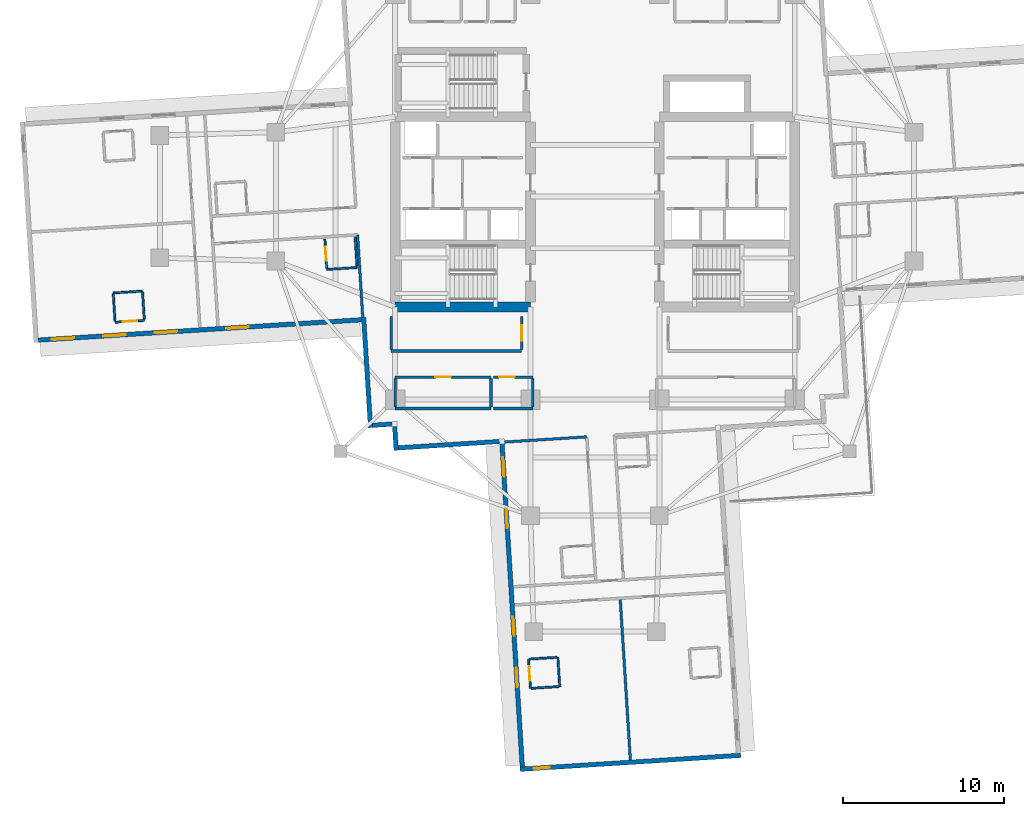
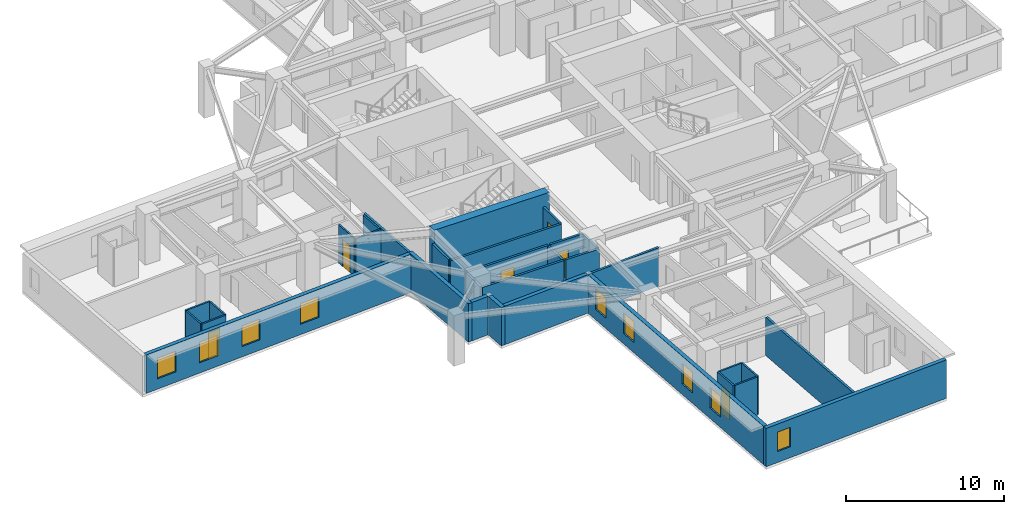
# One storey, part 3 of 14: 32 walls, 9 windows, 6 doors, 15 openings.
"""IFC4 building model written with IfcOpenShell, lengths in metres."""

from ifc_helpers import new_model, si_unit, direction, frame, frame_2d, origin, place, context, subcontext, project, spatial, rectangle, extrude, material, layer, layer_set, type_object, element, fill, save


model = new_model("IFC4")

# Units and contexts
model_context = context("Model", 3, precision=1e-05, world=origin(), true_north=direction((0.0, 1.0)))
body_context = subcontext(model_context, "Body", "Model", "MODEL_VIEW")
ifc_project = project(units=[si_unit("LENGTHUNIT", "METRE"), si_unit("AREAUNIT", "SQUARE_METRE"), si_unit("VOLUMEUNIT", "CUBIC_METRE"), si_unit("PLANEANGLEUNIT", "RADIAN"), si_unit("MASSUNIT", "GRAM", prefix="KILO")], contexts=[model_context])

# Site, building, storey
site_placement = place(None, origin())
site = spatial("IfcSite", under=ifc_project, at=site_placement, CompositionType="ELEMENT")
building_placement = place(site_placement, origin())
building = spatial("IfcBuilding", under=site, at=building_placement, Name="Qingluan Cross Belvedere", CompositionType="ELEMENT")
storey_placement = place(building_placement, frame((0.0, 0.0, 120.300048828125)))
storey = spatial("IfcBuildingStorey", under=building, at=storey_placement, Name="L30", CompositionType="ELEMENT", Elevation=120.300048828125)

# Walls
ifc_material_1 = material(Name="Concrete C60", Category="concrete")
ifc_layer_1 = layer(ifc_material_1, 0.60009765625, Name="CoreShearWall_600")
ifc_layer_set_1 = layer_set([ifc_layer_1], Name="Concrete C60")
wall_type_1 = type_object("IfcWallType", Name="CoreShearWall_600", PredefinedType="SHEAR", material=ifc_layer_set_1)
wall_1_placement = place(storey_placement, frame((-12.39990234375, -6.85009765625, 0.0), z_axis=(0.0, 0.0, 1.0), x_axis=(1.0, 0.0, 0.0)))
element("IfcWall", 1, at=wall_1_placement, inside=storey, type_object=wall_type_1, Name="Split core W shear wall L30-S", PredefinedType="SHEAR", context=body_context, shape_type="SweptSolid", body=[
    extrude(rectangle(XDim=8.39990234375, YDim=0.60009765625, at=frame_2d((4.199951171875, 0.0))), origin(), (0.0, 0.0, 1.0), 3.699951171875),
])
ifc_material_2 = material(Name="Gypsum plasterboard on steel stud acoustic partition", Category="steel")
ifc_layer_2 = layer(ifc_material_2, 0.159912109375, Name="CorridorPartition_160")
ifc_layer_set_2 = layer_set([ifc_layer_2], Name="Gypsum plasterboard on steel stud acoustic partition")
wall_type_2 = type_object("IfcWallType", Name="CorridorPartition_160", PredefinedType="PARTITIONING", material=ifc_layer_set_2)
wall_2_placement = place(storey_placement, frame((-12.39990234375, -13.14990234375, 0.0), z_axis=(0.0, 0.0, 1.0), x_axis=(1.0, 0.0, 0.0)))
element("IfcWall", 2, at=wall_2_placement, inside=storey, type_object=wall_type_2, Name="Partition L30:q_sw1:S", PredefinedType="PARTITIONING", context=body_context, shape_type="SweptSolid", body=[
    extrude(rectangle(XDim=5.949951171875, YDim=0.159912109375, at=frame_2d((2.97509765625, 0.0))), origin(), (0.0, 0.0, 1.0), 2.9599609375),
])

# Wall, opening, door
wall_3_placement = place(storey_placement, frame((-12.39990234375, -11.199951171875, 0.0), z_axis=(0.0, 0.0, 1.0), x_axis=(1.0, 0.0, 0.0)))
wall_3 = element("IfcWall", 3, at=wall_3_placement, inside=storey, type_object=wall_type_2, Name="Partition L30:q_sw1:N", PredefinedType="PARTITIONING", context=body_context, shape_type="SweptSolid", body=[
    extrude(rectangle(XDim=5.949951171875, YDim=0.159912109375, at=frame_2d((2.97509765625, 0.0))), origin(), (0.0, 0.0, 1.0), 2.9599609375),
])
opening_1_placement = place(wall_3_placement, frame((2.4951171875, 0.0, 0.0)))
opening_1 = element("IfcOpeningElement", 4, at=opening_1_placement, cuts=wall_3, Name="Opening GD-10", PredefinedType="OPENING", context=body_context, shape_type="SweptSolid", body=[
    extrude(rectangle(XDim=0.9599609375, YDim=2.14990234375, at=frame_2d((0.47998046875, 1.074951171875))), frame((0.0, 0.08984375, 0.0), z_axis=(0.0, -1.0, 0.0), x_axis=(1.0, 0.0, 0.0)), (0.0, 0.0, 1.0), 0.179931640625),
])
ifc_material_3 = material(Name="Timber oak fire-rated acoustic guestroom door", Category="wood")
door_type_1 = type_object("IfcDoorType", Name="GuestEntryDoor_FD60", OperationType="NOTDEFINED", PredefinedType="DOOR", material=ifc_material_3)
door_1_placement = place(opening_1_placement, origin())
door_1 = element("IfcDoor", 5, at=door_1_placement, inside=storey, type_object=door_type_1, Name="Reading library room L30 door", OperationType="SINGLE_SWING_LEFT", OverallHeight=2.14990234375, OverallWidth=0.9599609375, PredefinedType="DOOR", context=body_context, shape_type="SweptSolid", body=[
    extrude(rectangle(XDim=0.9599609375, YDim=2.14990234375, at=frame_2d((0.47998046875, 1.074951171875))), frame((0.0, 0.02490234375, 0.0), z_axis=(0.0, -1.0, 0.0), x_axis=(1.0, 0.0, 0.0)), (0.0, 0.0, 1.0), 0.050048828125),
])
fill(opening_1, door_1)

# Walls
for number, where, z_axis, x_axis, name in (
    (6, (-12.39990234375, -13.06494140625, 0.0), (0.0, 0.0, 1.0), (0.0, 1.0, 0.0), "Partition L30:q_sw1:W"),
    (7, (-6.449951171875, -13.06494140625, 0.0), (0.0, 0.0, 1.0), (0.0, 1.0, 0.0), "Partition L30:q_sw1:E"),
):
    element("IfcWall", number, at=place(storey_placement, frame(where, z_axis=z_axis, x_axis=x_axis)), inside=storey, type_object=wall_type_2, Name=name, PredefinedType="PARTITIONING", context=body_context, shape_type="SweptSolid", body=[
        extrude(rectangle(XDim=1.780029296875, YDim=0.159912109375, at=frame_2d((0.89013671875, 0.0))), origin(), (0.0, 0.0, 1.0), 2.9599609375),
    ])
wall_4_placement = place(storey_placement, frame((-6.2900390625, -13.14990234375, 0.0), z_axis=(0.0, 0.0, 1.0), x_axis=(1.0, 0.0, 0.0)))
element("IfcWall", 8, at=wall_4_placement, inside=storey, type_object=wall_type_2, Name="Partition L30:q_sw2:S", PredefinedType="PARTITIONING", context=body_context, shape_type="SweptSolid", body=[
    extrude(rectangle(XDim=2.43994140625, YDim=0.159912109375, at=frame_2d((1.219970703125, 0.0))), origin(), (0.0, 0.0, 1.0), 2.9599609375),
])

# Wall, opening, door
wall_5_placement = place(storey_placement, frame((-6.2900390625, -11.199951171875, 0.0), z_axis=(0.0, 0.0, 1.0), x_axis=(1.0, 0.0, 0.0)))
wall_5 = element("IfcWall", 9, at=wall_5_placement, inside=storey, type_object=wall_type_2, Name="Partition L30:q_sw2:N", PredefinedType="PARTITIONING", context=body_context, shape_type="SweptSolid", body=[
    extrude(rectangle(XDim=2.43994140625, YDim=0.159912109375, at=frame_2d((1.219970703125, 0.0))), origin(), (0.0, 0.0, 1.0), 2.9599609375),
])
opening_2_placement = place(wall_5_placement, frame((0.35009765625, 0.0, 0.0)))
opening_2 = element("IfcOpeningElement", 10, at=opening_2_placement, cuts=wall_5, Name="Opening GD-10", PredefinedType="OPENING", context=body_context, shape_type="SweptSolid", body=[
    extrude(rectangle(XDim=0.9599609375, YDim=2.14990234375, at=frame_2d((0.47998046875, 1.074951171875))), frame((0.0, 0.08984375, 0.0), z_axis=(0.0, -1.0, 0.0), x_axis=(1.0, 0.0, 0.0)), (0.0, 0.0, 1.0), 0.179931640625),
])
door_2_placement = place(opening_2_placement, origin())
door_2 = element("IfcDoor", 11, at=door_2_placement, inside=storey, type_object=door_type_1, Name="Southwest reading room L30 door", OperationType="SINGLE_SWING_RIGHT", OverallHeight=2.14990234375, OverallWidth=0.9599609375, PredefinedType="DOOR", context=body_context, shape_type="SweptSolid", body=[
    extrude(rectangle(XDim=0.9599609375, YDim=2.14990234375, at=frame_2d((0.47998046875, 1.074951171875))), frame((0.0, 0.02490234375, 0.0), z_axis=(0.0, -1.0, 0.0), x_axis=(1.0, 0.0, 0.0)), (0.0, 0.0, 1.0), 0.050048828125),
])
fill(opening_2, door_2)

# Walls
wall_6_placement = place(storey_placement, frame((-3.85009765625, -13.06494140625, 0.0), z_axis=(0.0, 0.0, 1.0), x_axis=(0.0, 1.0, 0.0)))
element("IfcWall", 12, at=wall_6_placement, inside=storey, type_object=wall_type_2, Name="Partition L30:q_sw2:E", PredefinedType="PARTITIONING", context=body_context, shape_type="SweptSolid", body=[
    extrude(rectangle(XDim=1.780029296875, YDim=0.159912109375, at=frame_2d((0.89013671875, 0.0))), origin(), (0.0, 0.0, 1.0), 2.9599609375),
])
wall_7_placement = place(storey_placement, frame((-12.64990234375, -9.580078125, 0.0), z_axis=(0.0, 0.0, 1.0), x_axis=(1.0, 0.0, 0.0)))
element("IfcWall", 13, at=wall_7_placement, inside=storey, type_object=wall_type_2, Name="Partition L30:rec_st4_w:S", PredefinedType="PARTITIONING", context=body_context, shape_type="SweptSolid", body=[
    extrude(rectangle(XDim=8.099853515625, YDim=0.159912109375, at=frame_2d((4.0498046875, 0.0))), origin(), (0.0, 0.0, 1.0), 2.9599609375),
])
wall_8_placement = place(storey_placement, frame((-12.64990234375, -9.4951171875, 0.0), z_axis=(0.0, 0.0, 1.0), x_axis=(0.0, 1.0, 0.0)))
element("IfcWall", 14, at=wall_8_placement, inside=storey, type_object=wall_type_2, Name="Partition L30:rec_st4_w:W", PredefinedType="PARTITIONING", context=body_context, shape_type="SweptSolid", body=[
    extrude(rectangle(XDim=2.06005859375, YDim=0.159912109375, at=frame_2d((1.030029296875, 0.0))), origin(), (0.0, 0.0, 1.0), 2.9599609375),
])

# Wall, opening, door
wall_9_placement = place(storey_placement, frame((-4.550048828125, -9.4951171875, 0.0), z_axis=(0.0, 0.0, 1.0), x_axis=(0.0, 1.0, 0.0)))
wall_9 = element("IfcWall", 15, at=wall_9_placement, inside=storey, type_object=wall_type_2, Name="Partition L30:rec_st4_w:E", PredefinedType="PARTITIONING", context=body_context, shape_type="SweptSolid", body=[
    extrude(rectangle(XDim=2.06005859375, YDim=0.159912109375, at=frame_2d((1.030029296875, 0.0))), origin(), (0.0, 0.0, 1.0), 2.9599609375),
])
opening_3_placement = place(wall_9_placement, frame((0.550048828125, 0.0, 0.0)))
opening_3 = element("IfcOpeningElement", 16, at=opening_3_placement, cuts=wall_9, Name="Opening GD-10", PredefinedType="OPENING", context=body_context, shape_type="SweptSolid", body=[
    extrude(rectangle(XDim=0.9599609375, YDim=2.14990234375, at=frame_2d((0.47998046875, 1.074951171875))), frame((0.0, 0.08984375, 0.0), z_axis=(0.0, -1.0, 0.0), x_axis=(1.0, 0.0, 0.0)), (0.0, 0.0, 1.0), 0.179931640625),
])
door_3_placement = place(opening_3_placement, origin())
door_3 = element("IfcDoor", 17, at=door_3_placement, inside=storey, type_object=door_type_1, Name="Southwest club reading room L30 door", OperationType="SINGLE_SWING_LEFT", OverallHeight=2.14990234375, OverallWidth=0.9599609375, PredefinedType="DOOR", context=body_context, shape_type="SweptSolid", body=[
    extrude(rectangle(XDim=0.9599609375, YDim=2.14990234375, at=frame_2d((0.47998046875, 1.074951171875))), frame((0.0, 0.02490234375, 0.0), z_axis=(0.0, -1.0, 0.0), x_axis=(1.0, 0.0, 0.0)), (0.0, 0.0, 1.0), 0.050048828125),
])
fill(opening_3, door_3)

# Walls
wall_10_placement = place(storey_placement, frame((-14.730224609375, -2.36962890625, 0.0), z_axis=(0.0, 0.0, 1.0), x_axis=(0.062795883315, -0.998026390953, 0.0)))
element("IfcWall", 18, at=wall_10_placement, inside=storey, type_object=wall_type_2, Name="Partition L30:W:s1", PredefinedType="PARTITIONING", context=body_context, shape_type="SweptSolid", body=[
    extrude(rectangle(XDim=5.1318359375, YDim=0.159912109375, at=frame_2d((2.56591796875, 0.0))), origin(), (0.0, 0.0, 1.0), 2.9599609375),
])
wall_11_placement = place(storey_placement, frame((-0.504638671875, -14.9111328125, 0.0), z_axis=(0.0, 0.0, 1.0), x_axis=(-0.998026766364, -0.06278991655, 0.0)))
element("IfcWall", 19, at=wall_11_placement, inside=storey, type_object=wall_type_2, Name="Partition L30:S:s1", PredefinedType="PARTITIONING", context=body_context, shape_type="SweptSolid", body=[
    extrude(rectangle(XDim=5.2802734375, YDim=0.159912109375, at=frame_2d((2.64013671875, 0.0))), origin(), (0.0, 0.0, 1.0), 2.9599609375),
])
wall_12_placement = place(storey_placement, frame((1.57421875, -25.0205078125, 0.0), z_axis=(0.0, 0.0, 1.0), x_axis=(0.06278717751, -0.998026938685, 0.0)))
element("IfcWall", 20, at=wall_12_placement, inside=storey, type_object=wall_type_2, Name="Partition L30:Scap:mid", PredefinedType="PARTITIONING", context=body_context, shape_type="SweptSolid", body=[
    extrude(rectangle(XDim=9.962158203125, YDim=0.159912109375, at=frame_2d((4.98095703125, 0.0))), origin(), (0.0, 0.0, 1.0), 2.9599609375),
])

# Wall, opening, door
ifc_material_4 = material(Name="Moisture-resistant gypsum board lining")
ifc_layer_3 = layer(ifc_material_4, 0.1201171875, Name="EnsuiteWetPartition_120")
ifc_layer_set_3 = layer_set([ifc_layer_3], Name="Moisture-resistant gypsum board lining")
wall_type_3 = type_object("IfcWallType", Name="EnsuiteWetPartition_120", PredefinedType="PARTITIONING", material=ifc_layer_set_3)
wall_13_placement = place(storey_placement, frame((-16.643310546875, -4.453857421875, 0.0), z_axis=(0.0, 0.0, 1.0), x_axis=(-0.062779145668, 0.998027443946, 0.0)))
wall_13 = element("IfcWall", 21, at=wall_13_placement, inside=storey, type_object=wall_type_3, Name="Partition L30:W:bs1_0", PredefinedType="PARTITIONING", context=body_context, shape_type="SweptSolid", body=[
    extrude(rectangle(XDim=1.820068359375, YDim=0.1201171875, at=frame_2d((0.91015625, 0.0))), origin(), (0.0, 0.0, 1.0), 2.9599609375),
])
opening_4_placement = place(wall_13_placement, frame((0.469970703125, 0.0, 0.0)))
opening_4 = element("IfcOpeningElement", 22, at=opening_4_placement, cuts=wall_13, Name="Opening BD-09", PredefinedType="OPENING", context=body_context, shape_type="SweptSolid", body=[
    extrude(rectangle(XDim=0.8798828125, YDim=2.10009765625, at=frame_2d((0.43994140625, 1.050048828125))), frame((0.0, 0.070068359375, 0.0), z_axis=(0.0, -1.0, 0.0), x_axis=(1.0, 0.0, 0.0)), (0.0, 0.0, 1.0), 0.14013671875),
])
ifc_material_5 = material(Name="Moisture-sealed timber en-suite door", Category="wood")
door_type_2 = type_object("IfcDoorType", Name="BathroomDoor_880", OperationType="NOTDEFINED", PredefinedType="DOOR", material=ifc_material_5)
door_4_placement = place(opening_4_placement, origin())
door_4 = element("IfcDoor", 23, at=door_4_placement, inside=storey, type_object=door_type_2, Name="Bathroom door 3006", OperationType="SINGLE_SWING_LEFT", OverallHeight=2.10009765625, OverallWidth=0.8798828125, PredefinedType="DOOR", context=body_context, shape_type="SweptSolid", body=[
    extrude(rectangle(XDim=0.8798828125, YDim=2.10009765625, at=frame_2d((0.43994140625, 1.050048828125))), frame((0.0, 0.02490234375, 0.0), z_axis=(0.0, -1.0, 0.0), x_axis=(1.0, 0.0, 0.0)), (0.0, 0.0, 1.0), 0.050048828125),
])
fill(opening_4, door_4)

# Walls
wall_14_placement = place(storey_placement, frame((-14.766845703125, -4.335693359375, 0.0), z_axis=(0.0, 0.0, 1.0), x_axis=(-0.062779145668, 0.998027443946, 0.0)))
element("IfcWall", 24, at=wall_14_placement, inside=storey, type_object=wall_type_3, Name="Partition L30:W:bw1_0", PredefinedType="PARTITIONING", context=body_context, shape_type="SweptSolid", body=[
    extrude(rectangle(XDim=1.820068359375, YDim=0.1201171875, at=frame_2d((0.91015625, 0.0))), origin(), (0.0, 0.0, 1.0), 2.9599609375),
])
wall_15_placement = place(storey_placement, frame((-14.7626953125, -4.400634765625, 0.0), z_axis=(0.0, 0.0, 1.0), x_axis=(-0.998023163794, -0.062847152131, 0.0)))
element("IfcWall", 25, at=wall_15_placement, inside=storey, type_object=wall_type_3, Name="Partition L30:W:bc1_0", PredefinedType="PARTITIONING", context=body_context, shape_type="SweptSolid", body=[
    extrude(rectangle(XDim=1.880126953125, YDim=0.1201171875, at=frame_2d((0.93994140625, 0.0))), origin(), (0.0, 0.0, 1.0), 2.9599609375),
])
wall_16_placement = place(storey_placement, frame((-27.966796875, -7.62109375, 0.0), z_axis=(0.0, 0.0, 1.0), x_axis=(-0.06275376841, 0.998029039933, 0.0)))
element("IfcWall", 26, at=wall_16_placement, inside=storey, type_object=wall_type_3, Name="Partition L30:Wcap:b1a", PredefinedType="PARTITIONING", context=body_context, shape_type="SweptSolid", body=[
    extrude(rectangle(XDim=1.7001953125, YDim=0.1201171875, at=frame_2d((0.85009765625, 0.0))), origin(), (0.0, 0.0, 1.0), 2.9599609375),
])
wall_17_placement = place(storey_placement, frame((-29.783203125, -7.7353515625, 0.0), z_axis=(0.0, 0.0, 1.0), x_axis=(-0.062762763458, 0.998028474305, 0.0)))
element("IfcWall", 27, at=wall_17_placement, inside=storey, type_object=wall_type_3, Name="Partition L30:Wcap:b1b", PredefinedType="PARTITIONING", context=body_context, shape_type="SweptSolid", body=[
    extrude(rectangle(XDim=1.699951171875, YDim=0.1201171875, at=frame_2d((0.85009765625, 0.0))), origin(), (0.0, 0.0, 1.0), 2.9599609375),
])

# Wall, opening, door
wall_18_placement = place(storey_placement, frame((-27.962890625, -7.680908203125, 0.0), z_axis=(0.0, 0.0, 1.0), x_axis=(-0.998027443946, -0.062779145668, 0.0)))
wall_18 = element("IfcWall", 28, at=wall_18_placement, inside=storey, type_object=wall_type_3, Name="Partition L30:Wcap:b1s", PredefinedType="PARTITIONING", context=body_context, shape_type="SweptSolid", body=[
    extrude(rectangle(XDim=1.820068359375, YDim=0.1201171875, at=frame_2d((0.91015625, 0.0))), origin(), (0.0, 0.0, 1.0), 2.9599609375),
])
opening_5_placement = place(wall_18_placement, frame((0.449951171875, 0.0, 0.0)))
opening_5 = element("IfcOpeningElement", 29, at=opening_5_placement, cuts=wall_18, Name="Opening BD-09", PredefinedType="OPENING", context=body_context, shape_type="SweptSolid", body=[
    extrude(rectangle(XDim=0.8798828125, YDim=2.10009765625, at=frame_2d((0.43994140625, 1.050048828125))), frame((0.0, 0.070068359375, 0.0), z_axis=(0.0, -1.0, 0.0), x_axis=(1.0, 0.0, 0.0)), (0.0, 0.0, 1.0), 0.14013671875),
])
door_5_placement = place(opening_5_placement, origin())
door_5 = element("IfcDoor", 30, at=door_5_placement, inside=storey, type_object=door_type_2, Name="En-suite bathroom door L30W1", OperationType="SINGLE_SWING_RIGHT", OverallHeight=2.10009765625, OverallWidth=0.8798828125, PredefinedType="DOOR", context=body_context, shape_type="SweptSolid", body=[
    extrude(rectangle(XDim=0.8798828125, YDim=2.10009765625, at=frame_2d((0.43994140625, 1.050048828125))), frame((0.0, 0.02490234375, 0.0), z_axis=(0.0, -1.0, 0.0), x_axis=(1.0, 0.0, 0.0)), (0.0, 0.0, 1.0), 0.050048828125),
])
fill(opening_5, door_5)

# Wall
wall_19_placement = place(storey_placement, frame((-28.0771484375, -5.864501953125, 0.0), z_axis=(0.0, 0.0, 1.0), x_axis=(-0.998027443946, -0.062779145668, 0.0)))
element("IfcWall", 31, at=wall_19_placement, inside=storey, type_object=wall_type_3, Name="Partition L30:Wcap:b1n", PredefinedType="PARTITIONING", context=body_context, shape_type="SweptSolid", body=[
    extrude(rectangle(XDim=1.820068359375, YDim=0.1201171875, at=frame_2d((0.91015625, 0.0))), origin(), (0.0, 0.0, 1.0), 2.9599609375),
])

# Wall, opening, door
wall_20_placement = place(storey_placement, frame((-4.11572265625, -28.705078125, 0.0), z_axis=(0.0, 0.0, 1.0), x_axis=(0.062779145668, -0.998027443946, 0.0)))
wall_20 = element("IfcWall", 32, at=wall_20_placement, inside=storey, type_object=wall_type_3, Name="Partition L30:Scap:b1s", PredefinedType="PARTITIONING", context=body_context, shape_type="SweptSolid", body=[
    extrude(rectangle(XDim=1.820068359375, YDim=0.1201171875, at=frame_2d((0.91015625, 0.0))), origin(), (0.0, 0.0, 1.0), 2.9599609375),
])
opening_6_placement = place(wall_20_placement, frame((0.449951171875, 0.0, 0.0)))
opening_6 = element("IfcOpeningElement", 33, at=opening_6_placement, cuts=wall_20, Name="Opening BD-09", PredefinedType="OPENING", context=body_context, shape_type="SweptSolid", body=[
    extrude(rectangle(XDim=0.8798828125, YDim=2.10009765625, at=frame_2d((0.43994140625, 1.050048828125))), frame((0.0, 0.070068359375, 0.0), z_axis=(0.0, -1.0, 0.0), x_axis=(1.0, 0.0, 0.0)), (0.0, 0.0, 1.0), 0.14013671875),
])
door_6_placement = place(opening_6_placement, origin())
door_6 = element("IfcDoor", 34, at=door_6_placement, inside=storey, type_object=door_type_2, Name="En-suite bathroom door L30S1", OperationType="SINGLE_SWING_RIGHT", OverallHeight=2.10009765625, OverallWidth=0.8798828125, PredefinedType="DOOR", context=body_context, shape_type="SweptSolid", body=[
    extrude(rectangle(XDim=0.8798828125, YDim=2.10009765625, at=frame_2d((0.43994140625, 1.050048828125))), frame((0.0, 0.02490234375, 0.0), z_axis=(0.0, -1.0, 0.0), x_axis=(1.0, 0.0, 0.0)), (0.0, 0.0, 1.0), 0.050048828125),
])
fill(opening_6, door_6)

# Walls
wall_21_placement = place(storey_placement, frame((-2.29931640625, -28.5908203125, 0.0), z_axis=(0.0, 0.0, 1.0), x_axis=(0.062779145668, -0.998027443946, 0.0)))
element("IfcWall", 35, at=wall_21_placement, inside=storey, type_object=wall_type_3, Name="Partition L30:Scap:b1b", PredefinedType="PARTITIONING", context=body_context, shape_type="SweptSolid", body=[
    extrude(rectangle(XDim=1.820068359375, YDim=0.1201171875, at=frame_2d((0.91015625, 0.0))), origin(), (0.0, 0.0, 1.0), 2.9599609375),
])
for number, where, z_axis, x_axis, name in (
    (36, (-4.055908203125, -28.701416015625, 0.0), (0.0, 0.0, 1.0), (0.998020036003, 0.062896802269, 0.0), "Partition L30:Scap:b1a"),
    (37, (-3.941650390625, -30.517578125, 0.0), (0.0, 0.0, 1.0), (0.998029039933, 0.06275376841, 0.0), "Partition L30:Scap:b1n"),
):
    element("IfcWall", number, at=place(storey_placement, frame(where, z_axis=z_axis, x_axis=x_axis)), inside=storey, type_object=wall_type_3, Name=name, PredefinedType="PARTITIONING", context=body_context, shape_type="SweptSolid", body=[
        extrude(rectangle(XDim=1.7001953125, YDim=0.1201171875, at=frame_2d((0.85009765625, 0.0))), origin(), (0.0, 0.0, 1.0), 2.9599609375),
    ])

# Wall, openings, windows
ifc_material_6 = material(Name="Precast concrete C45", Category="concrete")
ifc_layer_4 = layer(ifc_material_6, 0.280029296875, Name="PrecastFacadeWall_280")
ifc_layer_set_4 = layer_set([ifc_layer_4], Name="Precast concrete C45")
wall_type_4 = type_object("IfcWallType", Name="PrecastFacadeWall_280", PredefinedType="STANDARD", material=ifc_layer_set_4)
wall_22_placement = place(storey_placement, frame((-34.548828125, -8.906982421875, 0.0), z_axis=(0.0, 0.0, 1.0), x_axis=(0.99802635503, 0.06279645424, 0.0)))
wall_22 = element("IfcWall", 38, at=wall_22_placement, inside=storey, type_object=wall_type_4, Name="Facade wall L30-WB", PredefinedType="STANDARD", context=body_context, shape_type="SweptSolid", body=[
    extrude(rectangle(XDim=20.099853515625, YDim=0.280029296875, at=frame_2d((10.0498046875, 0.0))), origin(), (0.0, 0.0, 1.0), 2.969970703125),
])
opening_7_placement = place(wall_22_placement, frame((0.85009765625, 0.0, 0.800048828125)))
opening_7 = element("IfcOpeningElement", 39, at=opening_7_placement, cuts=wall_22, Name="Opening W-01", PredefinedType="OPENING", context=body_context, shape_type="SweptSolid", body=[
    extrude(rectangle(XDim=1.39990234375, YDim=1.60009765625, at=frame_2d((0.699951171875, 0.800048828125))), frame((0.0, 0.14990234375, 0.0), z_axis=(0.0, -1.0, 0.0), x_axis=(1.0, 0.0, 0.0)), (0.0, 0.0, 1.0), 0.300048828125),
])
opening_8_placement = place(wall_22_placement, frame((4.050048828125, 0.0, 0.800048828125)))
opening_8 = element("IfcOpeningElement", 40, at=opening_8_placement, cuts=wall_22, Name="Opening W-01", PredefinedType="OPENING", context=body_context, shape_type="SweptSolid", body=[
    extrude(rectangle(XDim=1.39990234375, YDim=1.60009765625, at=frame_2d((0.699951171875, 0.800048828125))), frame((0.0, 0.14990234375, 0.0), z_axis=(0.0, -1.0, 0.0), x_axis=(1.0, 0.0, 0.0)), (0.0, 0.0, 1.0), 0.300048828125),
])
opening_9_placement = place(wall_22_placement, frame((7.25, 0.0, 0.800048828125)))
opening_9 = element("IfcOpeningElement", 41, at=opening_9_placement, cuts=wall_22, Name="Opening W-01", PredefinedType="OPENING", context=body_context, shape_type="SweptSolid", body=[
    extrude(rectangle(XDim=1.39990234375, YDim=1.60009765625, at=frame_2d((0.699951171875, 0.800048828125))), frame((0.0, 0.14990234375, 0.0), z_axis=(0.0, -1.0, 0.0), x_axis=(1.0, 0.0, 0.0)), (0.0, 0.0, 1.0), 0.300048828125),
])
opening_10_placement = place(wall_22_placement, frame((11.699951171875, 0.0, 0.800048828125)))
opening_10 = element("IfcOpeningElement", 42, at=opening_10_placement, cuts=wall_22, Name="Opening W-01", PredefinedType="OPENING", context=body_context, shape_type="SweptSolid", body=[
    extrude(rectangle(XDim=1.39990234375, YDim=1.60009765625, at=frame_2d((0.699951171875, 0.800048828125))), frame((0.0, 0.14990234375, 0.0), z_axis=(0.0, -1.0, 0.0), x_axis=(1.0, 0.0, 0.0)), (0.0, 0.0, 1.0), 0.300048828125),
])
ifc_material_7 = material(Name="Thermally broken triple Low-E glass in aluminium frame", Category="aluminium")
window_type_1 = type_object("IfcWindowType", Name="TriRibbonWin_1400x1600", PartitioningType="SINGLE_PANEL", PredefinedType="WINDOW", material=ifc_material_7)
window_1_placement = place(opening_7_placement, origin())
window_1 = element("IfcWindow", 43, at=window_1_placement, inside=storey, type_object=window_type_1, Name="Ribbon window L30-WB-1", OverallHeight=1.60009765625, OverallWidth=1.39990234375, PartitioningType="SINGLE_PANEL", PredefinedType="WINDOW", context=body_context, shape_type="SweptSolid", body=[
    extrude(rectangle(XDim=1.39990234375, YDim=1.60009765625, at=frame_2d((0.699951171875, 0.800048828125))), frame((0.0, 0.030029296875, 0.0), z_axis=(0.0, -1.0, 0.0), x_axis=(1.0, 0.0, 0.0)), (0.0, 0.0, 1.0), 0.06005859375),
])
fill(opening_7, window_1)
window_2_placement = place(opening_8_placement, origin())
window_2 = element("IfcWindow", 44, at=window_2_placement, inside=storey, type_object=window_type_1, Name="Ribbon window L30-WB-2", OverallHeight=1.60009765625, OverallWidth=1.39990234375, PartitioningType="SINGLE_PANEL", PredefinedType="WINDOW", context=body_context, shape_type="SweptSolid", body=[
    extrude(rectangle(XDim=1.39990234375, YDim=1.60009765625, at=frame_2d((0.699951171875, 0.800048828125))), frame((0.0, 0.030029296875, 0.0), z_axis=(0.0, -1.0, 0.0), x_axis=(1.0, 0.0, 0.0)), (0.0, 0.0, 1.0), 0.06005859375),
])
fill(opening_8, window_2)
window_3_placement = place(opening_9_placement, origin())
window_3 = element("IfcWindow", 45, at=window_3_placement, inside=storey, type_object=window_type_1, Name="Ribbon window L30-WB-3", OverallHeight=1.60009765625, OverallWidth=1.39990234375, PartitioningType="SINGLE_PANEL", PredefinedType="WINDOW", context=body_context, shape_type="SweptSolid", body=[
    extrude(rectangle(XDim=1.39990234375, YDim=1.60009765625, at=frame_2d((0.699951171875, 0.800048828125))), frame((0.0, 0.030029296875, 0.0), z_axis=(0.0, -1.0, 0.0), x_axis=(1.0, 0.0, 0.0)), (0.0, 0.0, 1.0), 0.06005859375),
])
fill(opening_9, window_3)
window_4_placement = place(opening_10_placement, origin())
window_4 = element("IfcWindow", 46, at=window_4_placement, inside=storey, type_object=window_type_1, Name="Ribbon window L30-WB-4", OverallHeight=1.60009765625, OverallWidth=1.39990234375, PartitioningType="SINGLE_PANEL", PredefinedType="WINDOW", context=body_context, shape_type="SweptSolid", body=[
    extrude(rectangle(XDim=1.39990234375, YDim=1.60009765625, at=frame_2d((0.699951171875, 0.800048828125))), frame((0.0, 0.030029296875, 0.0), z_axis=(0.0, -1.0, 0.0), x_axis=(1.0, 0.0, 0.0)), (0.0, 0.0, 1.0), 0.06005859375),
])
fill(opening_10, window_4)

wall_23_placement = place(storey_placement, frame((-5.7685546875, -15.33251953125, 0.0), z_axis=(0.0, 0.0, 1.0), x_axis=(0.062784355807, -0.998027116198, 0.0)))
wall_23 = element("IfcWall", 47, at=wall_23_placement, inside=storey, type_object=wall_type_4, Name="Facade wall L30-SA", PredefinedType="STANDARD", context=body_context, shape_type="SweptSolid", body=[
    extrude(rectangle(XDim=20.099853515625, YDim=0.280029296875, at=frame_2d((10.0498046875, 0.0))), origin(), (0.0, 0.0, 1.0), 2.969970703125),
])
opening_11_placement = place(wall_23_placement, frame((0.85009765625, 0.0, 0.800048828125)))
opening_11 = element("IfcOpeningElement", 48, at=opening_11_placement, cuts=wall_23, Name="Opening W-02", PredefinedType="OPENING", context=body_context, shape_type="SweptSolid", body=[
    extrude(rectangle(XDim=1.199951171875, YDim=1.60009765625, at=frame_2d((0.60009765625, 0.800048828125))), frame((0.0, 0.14990234375, 0.0), z_axis=(0.0, -1.0, 0.0), x_axis=(1.0, 0.0, 0.0)), (0.0, 0.0, 1.0), 0.300048828125),
])
opening_12_placement = place(wall_23_placement, frame((4.050048828125, 0.0, 0.800048828125)))
opening_12 = element("IfcOpeningElement", 49, at=opening_12_placement, cuts=wall_23, Name="Opening W-02", PredefinedType="OPENING", context=body_context, shape_type="SweptSolid", body=[
    extrude(rectangle(XDim=1.199951171875, YDim=1.60009765625, at=frame_2d((0.60009765625, 0.800048828125))), frame((0.0, 0.14990234375, 0.0), z_axis=(0.0, -1.0, 0.0), x_axis=(1.0, 0.0, 0.0)), (0.0, 0.0, 1.0), 0.300048828125),
])
opening_13_placement = place(wall_23_placement, frame((10.75, 0.0, 0.800048828125)))
opening_13 = element("IfcOpeningElement", 50, at=opening_13_placement, cuts=wall_23, Name="Opening W-02", PredefinedType="OPENING", context=body_context, shape_type="SweptSolid", body=[
    extrude(rectangle(XDim=1.199951171875, YDim=1.60009765625, at=frame_2d((0.60009765625, 0.800048828125))), frame((0.0, 0.14990234375, 0.0), z_axis=(0.0, -1.0, 0.0), x_axis=(1.0, 0.0, 0.0)), (0.0, 0.0, 1.0), 0.300048828125),
])
opening_14_placement = place(wall_23_placement, frame((13.949951171875, 0.0, 0.800048828125)))
opening_14 = element("IfcOpeningElement", 51, at=opening_14_placement, cuts=wall_23, Name="Opening W-02", PredefinedType="OPENING", context=body_context, shape_type="SweptSolid", body=[
    extrude(rectangle(XDim=1.199951171875, YDim=1.60009765625, at=frame_2d((0.60009765625, 0.800048828125))), frame((0.0, 0.14990234375, 0.0), z_axis=(0.0, -1.0, 0.0), x_axis=(1.0, 0.0, 0.0)), (0.0, 0.0, 1.0), 0.300048828125),
])
ifc_material_8 = material(Name="Thermally broken triple Low-E glass in aluminium frame", Category="aluminium")
window_type_2 = type_object("IfcWindowType", Name="TriRibbonWin_1200x1600", PartitioningType="SINGLE_PANEL", PredefinedType="WINDOW", material=ifc_material_8)
window_5_placement = place(opening_11_placement, origin())
window_5 = element("IfcWindow", 52, at=window_5_placement, inside=storey, type_object=window_type_2, Name="Ribbon window L30-SA-1", OverallHeight=1.60009765625, OverallWidth=1.199951171875, PartitioningType="SINGLE_PANEL", PredefinedType="WINDOW", context=body_context, shape_type="SweptSolid", body=[
    extrude(rectangle(XDim=1.199951171875, YDim=1.60009765625, at=frame_2d((0.60009765625, 0.800048828125))), frame((0.0, 0.030029296875, 0.0), z_axis=(0.0, -1.0, 0.0), x_axis=(1.0, 0.0, 0.0)), (0.0, 0.0, 1.0), 0.06005859375),
])
fill(opening_11, window_5)
window_6_placement = place(opening_12_placement, origin())
window_6 = element("IfcWindow", 53, at=window_6_placement, inside=storey, type_object=window_type_2, Name="Ribbon window L30-SA-2", OverallHeight=1.60009765625, OverallWidth=1.199951171875, PartitioningType="SINGLE_PANEL", PredefinedType="WINDOW", context=body_context, shape_type="SweptSolid", body=[
    extrude(rectangle(XDim=1.199951171875, YDim=1.60009765625, at=frame_2d((0.60009765625, 0.800048828125))), frame((0.0, 0.030029296875, 0.0), z_axis=(0.0, -1.0, 0.0), x_axis=(1.0, 0.0, 0.0)), (0.0, 0.0, 1.0), 0.06005859375),
])
fill(opening_12, window_6)
window_7_placement = place(opening_13_placement, origin())
window_7 = element("IfcWindow", 54, at=window_7_placement, inside=storey, type_object=window_type_2, Name="Ribbon window L30-SA-3", OverallHeight=1.60009765625, OverallWidth=1.199951171875, PartitioningType="SINGLE_PANEL", PredefinedType="WINDOW", context=body_context, shape_type="SweptSolid", body=[
    extrude(rectangle(XDim=1.199951171875, YDim=1.60009765625, at=frame_2d((0.60009765625, 0.800048828125))), frame((0.0, 0.030029296875, 0.0), z_axis=(0.0, -1.0, 0.0), x_axis=(1.0, 0.0, 0.0)), (0.0, 0.0, 1.0), 0.06005859375),
])
fill(opening_13, window_7)
window_8_placement = place(opening_14_placement, origin())
window_8 = element("IfcWindow", 55, at=window_8_placement, inside=storey, type_object=window_type_2, Name="Ribbon window L30-SA-4", OverallHeight=1.60009765625, OverallWidth=1.199951171875, PartitioningType="SINGLE_PANEL", PredefinedType="WINDOW", context=body_context, shape_type="SweptSolid", body=[
    extrude(rectangle(XDim=1.199951171875, YDim=1.60009765625, at=frame_2d((0.60009765625, 0.800048828125))), frame((0.0, 0.030029296875, 0.0), z_axis=(0.0, -1.0, 0.0), x_axis=(1.0, 0.0, 0.0)), (0.0, 0.0, 1.0), 0.06005859375),
])
fill(opening_14, window_8)

# Wall, opening, window
wall_24_placement = place(storey_placement, frame((-4.637451171875, -35.541259765625, 0.0), z_axis=(0.0, 0.0, 1.0), x_axis=(0.998026318072, 0.062797041623, 0.0)))
wall_24 = element("IfcWall", 56, at=wall_24_placement, inside=storey, type_object=wall_type_4, Name="Arm tip precast facade wall L30-S", PredefinedType="STANDARD", context=body_context, shape_type="SweptSolid", body=[
    extrude(rectangle(XDim=13.719970703125, YDim=0.280029296875, at=frame_2d((6.85986328125, 0.0))), origin(), (0.0, 0.0, 1.0), 2.969970703125),
])
opening_15_placement = place(wall_24_placement, frame((0.85009765625, 0.0, 0.85009765625)))
opening_15 = element("IfcOpeningElement", 57, at=opening_15_placement, cuts=wall_24, Name="Opening W-03", PredefinedType="OPENING", context=body_context, shape_type="SweptSolid", body=[
    extrude(rectangle(XDim=1.0, YDim=1.5, at=frame_2d((0.5, 0.75))), frame((0.0, 0.14990234375, 0.0), z_axis=(0.0, -1.0, 0.0), x_axis=(1.0, 0.0, 0.0)), (0.0, 0.0, 1.0), 0.300048828125),
])
ifc_material_9 = material(Name="Thermally broken triple Low-E glass in aluminium frame", Category="aluminium")
window_type_3 = type_object("IfcWindowType", Name="TriApexWin_1000x1500", PartitioningType="SINGLE_PANEL", PredefinedType="WINDOW", material=ifc_material_9)
window_9_placement = place(opening_15_placement, origin())
window_9 = element("IfcWindow", 58, at=window_9_placement, inside=storey, type_object=window_type_3, Name="Arm tip triangular window L30-S", OverallHeight=1.5, OverallWidth=1.0, PartitioningType="SINGLE_PANEL", PredefinedType="WINDOW", context=body_context, shape_type="SweptSolid", body=[
    extrude(rectangle(XDim=1.0, YDim=1.5, at=frame_2d((0.5, 0.75))), frame((0.0, 0.030029296875, 0.0), z_axis=(0.0, -1.0, 0.0), x_axis=(1.0, 0.0, 0.0)), (0.0, 0.0, 1.0), 0.06005859375),
])
fill(opening_15, window_9)

# Walls
wall_25_placement = place(storey_placement, frame((-14.357666015625, -7.496337890625, 0.0), z_axis=(0.0, 0.0, 1.0), x_axis=(0.062779317195, -0.998027433156, 0.0)))
element("IfcWall", 59, at=wall_25_placement, inside=storey, type_object=wall_type_4, Name="Corner wall L30-SW1", PredefinedType="STANDARD", context=body_context, shape_type="SweptSolid", body=[
    extrude(rectangle(XDim=6.85986328125, YDim=0.280029296875, at=frame_2d((3.429931640625, 0.0))), origin(), (0.0, 0.0, 1.0), 2.969970703125),
])
wall_26_placement = place(storey_placement, frame((-13.7958984375, -14.1943359375, 0.0), z_axis=(0.0, 0.0, 1.0), x_axis=(0.998023660242, 0.06283926796, 0.0)))
element("IfcWall", 60, at=wall_26_placement, inside=storey, type_object=wall_type_4, Name="Corner wall L30-SW2", PredefinedType="STANDARD", context=body_context, shape_type="SweptSolid", body=[
    extrude(rectangle(XDim=1.219970703125, YDim=0.280029296875, at=frame_2d((0.60986328125, 0.0))), origin(), (0.0, 0.0, 1.0), 2.969970703125),
])
wall_27_placement = place(storey_placement, frame((-12.429931640625, -14.24853515625, 0.0), z_axis=(0.0, 0.0, 1.0), x_axis=(0.062824119533, -0.998024613927, 0.0)))
element("IfcWall", 61, at=wall_27_placement, inside=storey, type_object=wall_type_4, Name="Corner wall L30-SW3", PredefinedType="STANDARD", context=body_context, shape_type="SweptSolid", body=[
    extrude(rectangle(XDim=1.5, YDim=0.280029296875, at=frame_2d((0.75, 0.0))), origin(), (0.0, 0.0, 1.0), 2.969970703125),
])
wall_28_placement = place(storey_placement, frame((-12.20458984375, -15.59716796875, 0.0), z_axis=(0.0, 0.0, 1.0), x_axis=(0.998024885752, 0.062819801181, 0.0)))
element("IfcWall", 62, at=wall_28_placement, inside=storey, type_object=wall_type_4, Name="Corner wall L30-SW4", PredefinedType="STANDARD", context=body_context, shape_type="SweptSolid", body=[
    extrude(rectangle(XDim=6.2998046875, YDim=0.280029296875, at=frame_2d((3.14990234375, 0.0))), origin(), (0.0, 0.0, 1.0), 2.969970703125),
])

save(model, "model.ifc")
